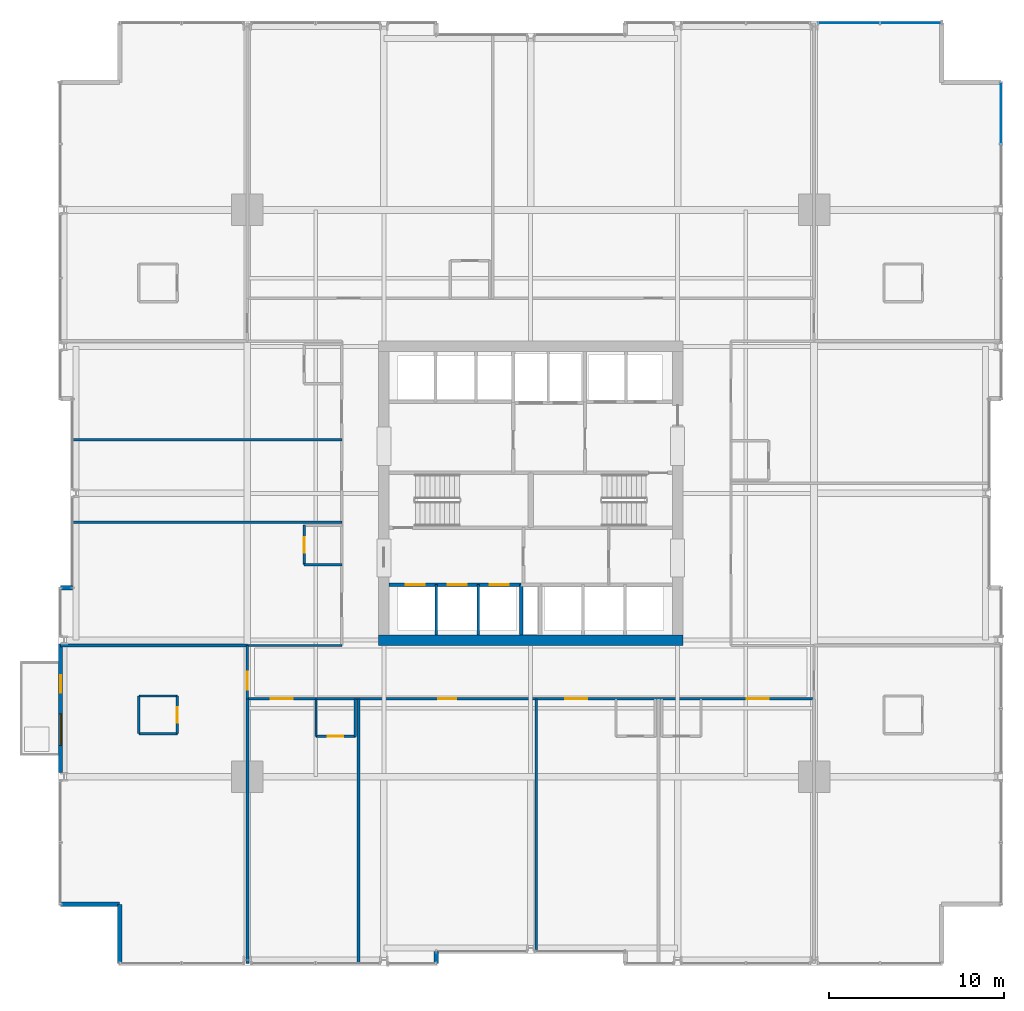
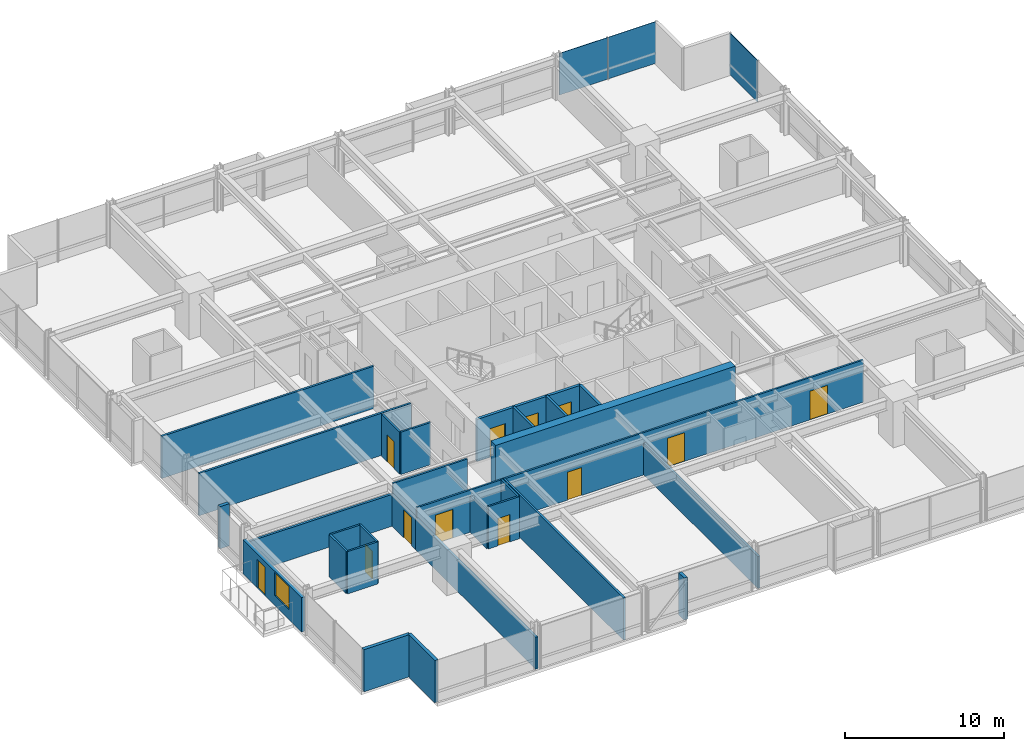
# One storey, part 30 of 37: 28 walls, 12 doors, 3 plates, 1 window, 13 openings, 2 elements without a shape of their own.
"""IFC4 building model written with IfcOpenShell, lengths in metres."""

from ifc_helpers import new_model, si_unit, direction, frame, frame_2d, origin, origin_2d, place, context, subcontext, project, spatial, rectangle, extrude, material, layer, layer_set, type_object, element, fill, aggregate, save


model = new_model("IFC4")

# Units and contexts
model_context = context("Model", 3, precision=1e-05, world=origin(), true_north=direction((0.0, 1.0)))
body_context = subcontext(model_context, "Body", "Model", "MODEL_VIEW")
ifc_project = project(units=[si_unit("LENGTHUNIT", "METRE"), si_unit("AREAUNIT", "SQUARE_METRE"), si_unit("VOLUMEUNIT", "CUBIC_METRE"), si_unit("PLANEANGLEUNIT", "RADIAN"), si_unit("MASSUNIT", "GRAM", prefix="KILO")], contexts=[model_context])

# Site, building, storey
site_placement = place(None, origin())
site = spatial("IfcSite", under=ifc_project, at=site_placement, CompositionType="ELEMENT")
building_placement = place(site_placement, origin())
building = spatial("IfcBuilding", under=site, at=building_placement, Name="Drelvath Grand Hotel", CompositionType="ELEMENT")
storey_placement = place(building_placement, frame((0.0, 0.0, 75.199951171875)))
storey = spatial("IfcBuildingStorey", under=building, at=storey_placement, Name="L18", CompositionType="ELEMENT", Elevation=75.199951171875)

# Curtain wall, plate
ifc_material_1 = material(Name="Warm Bronze Anodised Aluminium Frame", Category="aluminium")
ifc_layer_1 = layer(ifc_material_1, 0.199951171875)
ifc_layer_set_1 = layer_set([ifc_layer_1], Name="Warm Bronze Anodised Aluminium Frame")
curtain_wall_type = type_object("IfcCurtainWallType", Name="Stick Curtain Wall CW-02 Warm Bronze Low-Rise", PredefinedType="NOTDEFINED", material=ifc_layer_set_1)
curtain_wall_1_placement = place(storey_placement, origin())
curtain_wall_1 = element("IfcCurtainWall", 1, at=curtain_wall_1_placement, inside=storey, type_object=curtain_wall_type, Name="L18 CW-02 Curtain Wall CW02-L18-EN3", PredefinedType="NOTDEFINED")
ifc_material_2 = material(Name="Low-E Triple Silver Vision Glass Bronze Tint", Category="glass")
ifc_layer_2 = layer(ifc_material_2, 0.035888671875)
ifc_layer_set_2 = layer_set([ifc_layer_2], Name="Low-E Triple Silver Vision Glass Bronze Tint")
plate_type = type_object("IfcPlateType", Name="Curtain Wall Vision Panel CW-02 36mm", PredefinedType="CURTAIN_PANEL", material=ifc_layer_set_2)
plate_1_placement = place(storey_placement, frame((26.8798828125, 48.732421875, 0.02001953125), z_axis=(0.0, 0.0, 1.0), x_axis=(0.0, -1.0, 0.0)))
plate_1 = element("IfcPlate", 2, at=plate_1_placement, type_object=plate_type, Name="CW02-L18-EN3 Glazed Panel 1", PredefinedType="CURTAIN_PANEL", context=body_context, shape_type="SweptSolid", body=[
    extrude(rectangle(XDim=3.49560546875, YDim=0.035888671875, at=origin_2d()), origin(), (0.0, 0.0, 1.0), 3.199951171875),
])
aggregate(curtain_wall_1, [plate_1])

# Curtain wall, plates
curtain_wall_2_placement = place(storey_placement, origin())
curtain_wall_2 = element("IfcCurtainWall", 3, at=curtain_wall_2_placement, inside=storey, type_object=curtain_wall_type, Name="L18 CW-02 Curtain Wall CW02-L18-NE3", PredefinedType="NOTDEFINED")
plate_2_placement = place(storey_placement, frame((18.19677734375, 53.8798828125, 0.02001953125), z_axis=(0.0, 0.0, 1.0), x_axis=(1.0, 0.0, 0.0)))
plate_2 = element("IfcPlate", 4, at=plate_2_placement, type_object=plate_type, Name="CW02-L18-NE3 Glazed Panel 1", PredefinedType="CURTAIN_PANEL", context=body_context, shape_type="SweptSolid", body=[
    extrude(rectangle(XDim=3.49560546875, YDim=0.035888671875, at=origin_2d()), origin(), (0.0, 0.0, 1.0), 3.199951171875),
])
plate_3_placement = place(storey_placement, frame((21.732421875, 53.8798828125, 0.02001953125), z_axis=(0.0, 0.0, 1.0), x_axis=(1.0, 0.0, 0.0)))
plate_3 = element("IfcPlate", 5, at=plate_3_placement, type_object=plate_type, Name="CW02-L18-NE3 Glazed Panel 2", PredefinedType="CURTAIN_PANEL", context=body_context, shape_type="SweptSolid", body=[
    extrude(rectangle(XDim=3.49560546875, YDim=0.035888671875, at=origin_2d()), origin(), (0.0, 0.0, 1.0), 3.199951171875),
])
aggregate(curtain_wall_2, [plate_2, plate_3])

# Wall, openings, doors
ifc_material_3 = material(Name="Concrete C40/50", Category="concrete")
ifc_layer_3 = layer(ifc_material_3, 0.199951171875)
ifc_layer_set_3 = layer_set([ifc_layer_3], Name="Concrete C40/50")
wall_type_1 = type_object("IfcWallType", Name="Core Hoistway Fire Wall 200", PredefinedType="SOLIDWALL", material=ifc_layer_set_3)
wall_1_placement = place(storey_placement, frame((-0.550048828125, 21.780029296875, 0.0), z_axis=(0.0, 0.0, 1.0), x_axis=(-1.0, 0.0, 0.0)))
wall_1 = element("IfcWall", 6, at=wall_1_placement, inside=storey, type_object=wall_type_1, Name="L18 Bank 1 Hoistway Wall", PredefinedType="SOLIDWALL", context=body_context, shape_type="SweptSolid", body=[
    extrude(rectangle(XDim=7.550048828125, YDim=0.199951171875, at=frame_2d((3.77490234375, 0.0))), origin(), (0.0, 0.0, 1.0), 3.239990234375),
])
opening_1_placement = place(wall_1_placement, frame((5.5, 0.0, 0.0)))
opening_1 = element("IfcOpeningElement", 7, at=opening_1_placement, cuts=wall_1, Name="Opening LD-PE-1", PredefinedType="OPENING", context=body_context, shape_type="SweptSolid", body=[
    extrude(rectangle(XDim=1.10009765625, YDim=2.199951171875, at=frame_2d((0.550048828125, 1.10009765625))), frame((0.0, 0.10986328125, 0.0), z_axis=(0.0, -1.0, 0.0), x_axis=(1.0, 0.0, 0.0)), (0.0, 0.0, 1.0), 0.219970703125),
])
opening_2_placement = place(wall_1_placement, frame((3.10009765625, 0.0, 0.0)))
opening_2 = element("IfcOpeningElement", 8, at=opening_2_placement, cuts=wall_1, Name="Opening LD-PE-2", PredefinedType="OPENING", context=body_context, shape_type="SweptSolid", body=[
    extrude(rectangle(XDim=1.10009765625, YDim=2.199951171875, at=frame_2d((0.550048828125, 1.10009765625))), frame((0.0, 0.10986328125, 0.0), z_axis=(0.0, -1.0, 0.0), x_axis=(1.0, 0.0, 0.0)), (0.0, 0.0, 1.0), 0.219970703125),
])
opening_3_placement = place(wall_1_placement, frame((0.699951171875, 0.0, 0.0)))
opening_3 = element("IfcOpeningElement", 9, at=opening_3_placement, cuts=wall_1, Name="Opening LD-PE-3", PredefinedType="OPENING", context=body_context, shape_type="SweptSolid", body=[
    extrude(rectangle(XDim=1.10009765625, YDim=2.199951171875, at=frame_2d((0.550048828125, 1.10009765625))), frame((0.0, 0.10986328125, 0.0), z_axis=(0.0, -1.0, 0.0), x_axis=(1.0, 0.0, 0.0)), (0.0, 0.0, 1.0), 0.219970703125),
])
ifc_material_4 = material(Name="Stainless Steel S355", Category="steel")
door_type_1 = type_object("IfcDoorType", Name="Passenger Lift Sliding Landing Door 1100x2200", OperationType="NOTDEFINED", PredefinedType="DOOR", material=ifc_material_4)
door_1_placement = place(opening_1_placement, origin())
door_1 = element("IfcDoor", 10, at=door_1_placement, inside=storey, type_object=door_type_1, Name="L18 Lift PE-1 Landing Door", OperationType="SLIDING_TO_LEFT", OverallHeight=2.199951171875, OverallWidth=1.10009765625, PredefinedType="DOOR", context=body_context, shape_type="SweptSolid", body=[
    extrude(rectangle(XDim=1.10009765625, YDim=2.199951171875, at=frame_2d((0.550048828125, 1.10009765625))), frame((0.0, 0.02490234375, 0.0), z_axis=(0.0, -1.0, 0.0), x_axis=(1.0, 0.0, 0.0)), (0.0, 0.0, 1.0), 0.050048828125),
])
fill(opening_1, door_1)
door_2_placement = place(opening_2_placement, origin())
door_2 = element("IfcDoor", 11, at=door_2_placement, inside=storey, type_object=door_type_1, Name="L18 Lift PE-2 Landing Door", OperationType="SLIDING_TO_LEFT", OverallHeight=2.199951171875, OverallWidth=1.10009765625, PredefinedType="DOOR", context=body_context, shape_type="SweptSolid", body=[
    extrude(rectangle(XDim=1.10009765625, YDim=2.199951171875, at=frame_2d((0.550048828125, 1.10009765625))), frame((0.0, 0.02490234375, 0.0), z_axis=(0.0, -1.0, 0.0), x_axis=(1.0, 0.0, 0.0)), (0.0, 0.0, 1.0), 0.050048828125),
])
fill(opening_2, door_2)
door_3_placement = place(opening_3_placement, origin())
door_3 = element("IfcDoor", 12, at=door_3_placement, inside=storey, type_object=door_type_1, Name="L18 Lift PE-3 Landing Door", OperationType="SLIDING_TO_LEFT", OverallHeight=2.199951171875, OverallWidth=1.10009765625, PredefinedType="DOOR", context=body_context, shape_type="SweptSolid", body=[
    extrude(rectangle(XDim=1.10009765625, YDim=2.199951171875, at=frame_2d((0.550048828125, 1.10009765625))), frame((0.0, 0.02490234375, 0.0), z_axis=(0.0, -1.0, 0.0), x_axis=(1.0, 0.0, 0.0)), (0.0, 0.0, 1.0), 0.050048828125),
])
fill(opening_3, door_3)

# Walls
wall_2_placement = place(storey_placement, frame((-0.550048828125, 18.89990234375, 0.0), z_axis=(0.0, 0.0, 1.0), x_axis=(0.0, 1.0, 0.0)))
element("IfcWall", 13, at=wall_2_placement, inside=storey, type_object=wall_type_1, Name="L18 Bank 1 East Wall", PredefinedType="SOLIDWALL", context=body_context, shape_type="SweptSolid", body=[
    extrude(rectangle(XDim=2.880126953125, YDim=0.199951171875, at=frame_2d((1.43994140625, 0.0))), origin(), (0.0, 0.0, 1.0), 3.239990234375),
])
ifc_material_5 = material(Name="Gypsum Fireboard Partition")
ifc_layer_4 = layer(ifc_material_5, 0.1650390625)
ifc_layer_set_4 = layer_set([ifc_layer_4], Name="Gypsum Fireboard Partition")
wall_type_2 = type_object("IfcWallType", Name="Core Shaft Partition 165", PredefinedType="PARTITIONING", material=ifc_layer_set_4)
for number, where, z_axis, x_axis, name in (
    (14, (-5.39990234375, 18.89990234375, 0.0), (0.0, 0.0, 1.0), (0.0, 1.0, 0.0), "L18 Lift PE-1/2 Divider"),
    (15, (-3.0, 18.89990234375, 0.0), (0.0, 0.0, 1.0), (0.0, 1.0, 0.0), "L18 Lift PE-2/3 Divider"),
):
    element("IfcWall", number, at=place(storey_placement, frame(where, z_axis=z_axis, x_axis=x_axis)), inside=storey, type_object=wall_type_2, Name=name, PredefinedType="PARTITIONING", context=body_context, shape_type="SweptSolid", body=[
        extrude(rectangle(XDim=2.880126953125, YDim=0.1650390625, at=frame_2d((1.43994140625, 0.0))), origin(), (0.0, 0.0, 1.0), 3.239990234375),
    ])

# Wall, openings, doors
ifc_layer_5 = layer(ifc_material_5, 0.135009765625)
ifc_layer_set_5 = layer_set([ifc_layer_5], Name="Gypsum Fireboard Partition")
wall_type_3 = type_object("IfcWallType", Name="Corridor Fire Barrier Wall 135", PredefinedType="PARTITIONING", material=ifc_layer_set_5)
wall_3_placement = place(storey_placement, frame((-16.199951171875, 15.25, 0.0), z_axis=(0.0, 0.0, 1.0), x_axis=(1.0, 0.0, 0.0)))
wall_3 = element("IfcWall", 16, at=wall_3_placement, inside=storey, type_object=wall_type_3, Name="L18 South Corridor Wall", PredefinedType="PARTITIONING", context=body_context, shape_type="SweptSolid", body=[
    extrude(rectangle(XDim=32.39990234375, YDim=0.135009765625, at=frame_2d((16.199951171875, 0.0))), origin(), (0.0, 0.0, 1.0), 3.239990234375),
])
opening_4_placement = place(wall_3_placement, frame((1.331298828125, 0.0, 0.0)))
opening_4 = element("IfcOpeningElement", 17, at=opening_4_placement, cuts=wall_3, Name="Opening D-T1G5-025", PredefinedType="OPENING", context=body_context, shape_type="SweptSolid", body=[
    extrude(rectangle(XDim=1.260009765625, YDim=2.199951171875, at=frame_2d((0.6298828125, 1.10009765625))), frame((0.0, 0.077392578125, 0.0), z_axis=(0.0, -1.0, 0.0), x_axis=(1.0, 0.0, 0.0)), (0.0, 0.0, 1.0), 0.155029296875),
])
opening_5_placement = place(wall_3_placement, frame((10.92529296875, 0.0, 0.0)))
opening_5 = element("IfcOpeningElement", 18, at=opening_5_placement, cuts=wall_3, Name="Opening D-T1G5-026", PredefinedType="OPENING", context=body_context, shape_type="SweptSolid", body=[
    extrude(rectangle(XDim=1.02001953125, YDim=2.14990234375, at=frame_2d((0.510009765625, 1.074951171875))), frame((0.0, 0.077392578125, 0.0), z_axis=(0.0, -1.0, 0.0), x_axis=(1.0, 0.0, 0.0)), (0.0, 0.0, 1.0), 0.155029296875),
])
opening_6_placement = place(wall_3_placement, frame((18.166748046875, 0.0, 0.0)))
opening_6 = element("IfcOpeningElement", 19, at=opening_6_placement, cuts=wall_3, Name="Opening D-T1G5-028", PredefinedType="OPENING", context=body_context, shape_type="SweptSolid", body=[
    extrude(rectangle(XDim=1.260009765625, YDim=2.199951171875, at=frame_2d((0.6298828125, 1.10009765625))), frame((0.0, 0.077392578125, 0.0), z_axis=(0.0, -1.0, 0.0), x_axis=(1.0, 0.0, 0.0)), (0.0, 0.0, 1.0), 0.155029296875),
])
opening_7_placement = place(wall_3_placement, frame((28.5380859375, 0.0, 0.0)))
opening_7 = element("IfcOpeningElement", 20, at=opening_7_placement, cuts=wall_3, Name="Opening D-T1G5-030", PredefinedType="OPENING", context=body_context, shape_type="SweptSolid", body=[
    extrude(rectangle(XDim=1.260009765625, YDim=2.199951171875, at=frame_2d((0.6298828125, 1.10009765625))), frame((0.0, 0.077392578125, 0.0), z_axis=(0.0, -1.0, 0.0), x_axis=(1.0, 0.0, 0.0)), (0.0, 0.0, 1.0), 0.155029296875),
])
ifc_material_6 = material(Name="Hardwood Walnut Timber", Category="wood")
door_type_2 = type_object("IfcDoorType", Name="Amenity Meeting Fire Door 1020x2150", OperationType="NOTDEFINED", PredefinedType="DOOR", material=ifc_material_6)
door_4_placement = place(opening_5_placement, origin())
door_4 = element("IfcDoor", 21, at=door_4_placement, inside=storey, type_object=door_type_2, Name="L18 Executive Boardroom Entry Door", OperationType="SINGLE_SWING_LEFT", OverallHeight=2.14990234375, OverallWidth=1.02001953125, PredefinedType="DOOR", context=body_context, shape_type="SweptSolid", body=[
    extrude(rectangle(XDim=1.02001953125, YDim=2.14990234375, at=frame_2d((0.510009765625, 1.074951171875))), frame((0.0, 0.02490234375, 0.0), z_axis=(0.0, -1.0, 0.0), x_axis=(1.0, 0.0, 0.0)), (0.0, 0.0, 1.0), 0.050048828125),
])
fill(opening_5, door_4)
door_type_3 = type_object("IfcDoorType", Name="Suite Entrance Fire Door 1260x2200", OperationType="NOTDEFINED", PredefinedType="DOOR", material=ifc_material_6)
door_5_placement = place(opening_4_placement, origin())
door_5 = element("IfcDoor", 22, at=door_5_placement, inside=storey, type_object=door_type_3, Name="L18 Corner Suite Entry Door", OperationType="SINGLE_SWING_RIGHT", OverallHeight=2.199951171875, OverallWidth=1.260009765625, PredefinedType="DOOR", context=body_context, shape_type="SweptSolid", body=[
    extrude(rectangle(XDim=1.260009765625, YDim=2.199951171875, at=frame_2d((0.6298828125, 1.10009765625))), frame((0.0, 0.02490234375, 0.0), z_axis=(0.0, -1.0, 0.0), x_axis=(1.0, 0.0, 0.0)), (0.0, 0.0, 1.0), 0.050048828125),
])
fill(opening_4, door_5)
door_6_placement = place(opening_6_placement, origin())
door_6 = element("IfcDoor", 23, at=door_6_placement, inside=storey, type_object=door_type_3, Name="L18 Corner Suite Entry Door", OperationType="SINGLE_SWING_LEFT", OverallHeight=2.199951171875, OverallWidth=1.260009765625, PredefinedType="DOOR", context=body_context, shape_type="SweptSolid", body=[
    extrude(rectangle(XDim=1.260009765625, YDim=2.199951171875, at=frame_2d((0.6298828125, 1.10009765625))), frame((0.0, 0.02490234375, 0.0), z_axis=(0.0, -1.0, 0.0), x_axis=(1.0, 0.0, 0.0)), (0.0, 0.0, 1.0), 0.050048828125),
])
fill(opening_6, door_6)
door_7_placement = place(opening_7_placement, origin())
door_7 = element("IfcDoor", 24, at=door_7_placement, inside=storey, type_object=door_type_3, Name="L18 Corner Suite Entry Door", OperationType="SINGLE_SWING_LEFT", OverallHeight=2.199951171875, OverallWidth=1.260009765625, PredefinedType="DOOR", context=body_context, shape_type="SweptSolid", body=[
    extrude(rectangle(XDim=1.260009765625, YDim=2.199951171875, at=frame_2d((0.6298828125, 1.10009765625))), frame((0.0, 0.02490234375, 0.0), z_axis=(0.0, -1.0, 0.0), x_axis=(1.0, 0.0, 0.0)), (0.0, 0.0, 1.0), 0.050048828125),
])
fill(opening_7, door_7)

# Wall
wall_4_placement = place(storey_placement, frame((-16.199951171875, 18.300048828125, 0.0), z_axis=(0.0, 0.0, 1.0), x_axis=(1.0, 0.0, 0.0)))
element("IfcWall", 25, at=wall_4_placement, inside=storey, type_object=wall_type_3, Name="L18 SW Spur Inner Wall", PredefinedType="PARTITIONING", context=body_context, shape_type="SweptSolid", body=[
    extrude(rectangle(XDim=5.39990234375, YDim=0.135009765625, at=frame_2d((2.699951171875, 0.0))), origin(), (0.0, 0.0, 1.0), 3.239990234375),
])

# Wall, opening, door
wall_5_placement = place(storey_placement, frame((-16.199951171875, 15.25, 0.0), z_axis=(0.0, 0.0, 1.0), x_axis=(0.0, 1.0, 0.0)))
wall_5 = element("IfcWall", 26, at=wall_5_placement, inside=storey, type_object=wall_type_3, Name="L18 South Corridor West End", PredefinedType="PARTITIONING", context=body_context, shape_type="SweptSolid", body=[
    extrude(rectangle(XDim=3.050048828125, YDim=0.135009765625, at=frame_2d((1.52490234375, 0.0))), origin(), (0.0, 0.0, 1.0), 2.451904296875),
])
opening_8_placement = place(wall_5_placement, frame((0.52001953125, 0.0, 0.0)))
opening_8 = element("IfcOpeningElement", 27, at=opening_8_placement, cuts=wall_5, Name="Opening D-T1G5-017", PredefinedType="OPENING", context=body_context, shape_type="SweptSolid", body=[
    extrude(rectangle(XDim=1.02001953125, YDim=2.14990234375, at=frame_2d((0.510009765625, 1.074951171875))), frame((0.0, 0.077392578125, 0.0), z_axis=(0.0, -1.0, 0.0), x_axis=(1.0, 0.0, 0.0)), (0.0, 0.0, 1.0), 0.155029296875),
])
door_8_placement = place(opening_8_placement, origin())
door_8 = element("IfcDoor", 28, at=door_8_placement, inside=storey, type_object=door_type_2, Name="L18 Corner Suite Entry Door", OperationType="SINGLE_SWING_RIGHT", OverallHeight=2.14990234375, OverallWidth=1.02001953125, PredefinedType="DOOR", context=body_context, shape_type="SweptSolid", body=[
    extrude(rectangle(XDim=1.02001953125, YDim=2.14990234375, at=frame_2d((0.510009765625, 1.074951171875))), frame((0.0, 0.02490234375, 0.0), z_axis=(0.0, -1.0, 0.0), x_axis=(1.0, 0.0, 0.0)), (0.0, 0.0, 1.0), 0.050048828125),
])
fill(opening_8, door_8)

# Walls
ifc_material_7 = material(Name="Moisture-Resistant Gypsum Board")
ifc_layer_6 = layer(ifc_material_7, 0.139892578125)
ifc_layer_set_6 = layer_set([ifc_layer_6], Name="Moisture-Resistant Gypsum Board")
wall_type_4 = type_object("IfcWallType", Name="En-Suite Plumbing Wall 140", PredefinedType="PLUMBINGWALL", material=ifc_layer_set_6)
for number, where, z_axis, x_axis, name in (
    (29, (-22.39990234375, 13.260009765625, 0.0), (0.0, 0.0, 1.0), (1.0, 0.0, 0.0), "L18 Corner En-Suite South"),
    (30, (-22.39990234375, 15.409912109375, 0.0), (0.0, 0.0, 1.0), (1.0, 0.0, 0.0), "L18 Corner En-Suite North"),
):
    element("IfcWall", number, at=place(storey_placement, frame(where, z_axis=z_axis, x_axis=x_axis)), inside=storey, type_object=wall_type_4, Name=name, PredefinedType="PLUMBINGWALL", context=body_context, shape_type="SweptSolid", body=[
        extrude(rectangle(XDim=2.199951171875, YDim=0.139892578125, at=frame_2d((1.10009765625, 0.0))), origin(), (0.0, 0.0, 1.0), 3.239990234375),
    ])
wall_6_placement = place(storey_placement, frame((-22.39990234375, 13.260009765625, 0.0), z_axis=(0.0, 0.0, 1.0), x_axis=(0.0, 1.0, 0.0)))
element("IfcWall", 31, at=wall_6_placement, inside=storey, type_object=wall_type_4, Name="L18 Corner En-Suite West", PredefinedType="PLUMBINGWALL", context=body_context, shape_type="SweptSolid", body=[
    extrude(rectangle(XDim=2.14990234375, YDim=0.139892578125, at=frame_2d((1.074951171875, 0.0))), origin(), (0.0, 0.0, 1.0), 3.239990234375),
])

# Wall, opening, door
wall_7_placement = place(storey_placement, frame((-20.199951171875, 13.260009765625, 0.0), z_axis=(0.0, 0.0, 1.0), x_axis=(0.0, 1.0, 0.0)))
wall_7 = element("IfcWall", 32, at=wall_7_placement, inside=storey, type_object=wall_type_4, Name="L18 Corner En-Suite East", PredefinedType="PLUMBINGWALL", context=body_context, shape_type="SweptSolid", body=[
    extrude(rectangle(XDim=2.14990234375, YDim=0.139892578125, at=frame_2d((1.074951171875, 0.0))), origin(), (0.0, 0.0, 1.0), 3.239990234375),
])
opening_9_placement = place(wall_7_placement, frame((0.6201171875, 0.0, 0.0)))
opening_9 = element("IfcOpeningElement", 33, at=opening_9_placement, cuts=wall_7, Name="Opening D-T1G5-016", PredefinedType="OPENING", context=body_context, shape_type="SweptSolid", body=[
    extrude(rectangle(XDim=0.8798828125, YDim=2.10009765625, at=frame_2d((0.43994140625, 1.050048828125))), frame((0.0, 0.079833984375, 0.0), z_axis=(0.0, -1.0, 0.0), x_axis=(1.0, 0.0, 0.0)), (0.0, 0.0, 1.0), 0.159912109375),
])
door_type_4 = type_object("IfcDoorType", Name="En-Suite Bathroom Door 880x2100", OperationType="NOTDEFINED", PredefinedType="DOOR", material=ifc_material_6)
door_9_placement = place(opening_9_placement, origin())
door_9 = element("IfcDoor", 34, at=door_9_placement, inside=storey, type_object=door_type_4, Name="L18 Corner En-Suite Door", OperationType="SINGLE_SWING_LEFT", OverallHeight=2.10009765625, OverallWidth=0.8798828125, PredefinedType="DOOR", context=body_context, shape_type="SweptSolid", body=[
    extrude(rectangle(XDim=0.8798828125, YDim=2.10009765625, at=frame_2d((0.43994140625, 1.050048828125))), frame((0.0, 0.02490234375, 0.0), z_axis=(0.0, -1.0, 0.0), x_axis=(1.0, 0.0, 0.0)), (0.0, 0.0, 1.0), 0.050048828125),
])
fill(opening_9, door_9)

# Walls
wall_8_placement = place(storey_placement, frame((-12.277099609375, 15.25, 0.0), z_axis=(0.0, 0.0, 1.0), x_axis=(0.0, -1.0, 0.0)))
element("IfcWall", 35, at=wall_8_placement, inside=storey, type_object=wall_type_4, Name="L18 En-Suite Left Wall", PredefinedType="PLUMBINGWALL", context=body_context, shape_type="SweptSolid", body=[
    extrude(rectangle(XDim=2.14990234375, YDim=0.139892578125, at=frame_2d((1.074951171875, 0.0))), origin(), (0.0, 0.0, 1.0), 2.76513671875),
])
wall_9_placement = place(storey_placement, frame((-10.027099609375, 15.25, 0.0), z_axis=(0.0, 0.0, 1.0), x_axis=(0.0, -1.0, 0.0)))
element("IfcWall", 36, at=wall_9_placement, inside=storey, type_object=wall_type_4, Name="L18 En-Suite Right Wall", PredefinedType="PLUMBINGWALL", context=body_context, shape_type="SweptSolid", body=[
    extrude(rectangle(XDim=2.14990234375, YDim=0.139892578125, at=frame_2d((1.074951171875, 0.0))), origin(), (0.0, 0.0, 1.0), 3.239990234375),
])

# Wall, opening, door
wall_10_placement = place(storey_placement, frame((-12.277099609375, 13.10009765625, 0.0), z_axis=(0.0, 0.0, 1.0), x_axis=(1.0, 0.0, 0.0)))
wall_10 = element("IfcWall", 37, at=wall_10_placement, inside=storey, type_object=wall_type_4, Name="L18 En-Suite Front Wall", PredefinedType="PLUMBINGWALL", context=body_context, shape_type="SweptSolid", body=[
    extrude(rectangle(XDim=2.25, YDim=0.139892578125, at=frame_2d((1.125, 0.0))), origin(), (0.0, 0.0, 1.0), 3.239990234375),
])
opening_10_placement = place(wall_10_placement, frame((0.68505859375, 0.0, 0.0)))
opening_10 = element("IfcOpeningElement", 38, at=opening_10_placement, cuts=wall_10, Name="Opening D-T1G5-024", PredefinedType="OPENING", context=body_context, shape_type="SweptSolid", body=[
    extrude(rectangle(XDim=0.8798828125, YDim=2.10009765625, at=frame_2d((0.43994140625, 1.050048828125))), frame((0.0, 0.079833984375, 0.0), z_axis=(0.0, -1.0, 0.0), x_axis=(1.0, 0.0, 0.0)), (0.0, 0.0, 1.0), 0.159912109375),
])
door_10_placement = place(opening_10_placement, origin())
door_10 = element("IfcDoor", 39, at=door_10_placement, inside=storey, type_object=door_type_4, Name="L18 En-Suite Bathroom Door", OperationType="SINGLE_SWING_LEFT", OverallHeight=2.10009765625, OverallWidth=0.8798828125, PredefinedType="DOOR", context=body_context, shape_type="SweptSolid", body=[
    extrude(rectangle(XDim=0.8798828125, YDim=2.10009765625, at=frame_2d((0.43994140625, 1.050048828125))), frame((0.0, 0.02490234375, 0.0), z_axis=(0.0, -1.0, 0.0), x_axis=(1.0, 0.0, 0.0)), (0.0, 0.0, 1.0), 0.050048828125),
])
fill(opening_10, door_10)

# Wall
wall_11_placement = place(storey_placement, frame((-10.800048828125, 22.924072265625, 0.0), z_axis=(0.0, 0.0, 1.0), x_axis=(-1.0, 0.0, 0.0)))
element("IfcWall", 40, at=wall_11_placement, inside=storey, type_object=wall_type_4, Name="L18 En-Suite Left Wall", PredefinedType="PLUMBINGWALL", context=body_context, shape_type="SweptSolid", body=[
    extrude(rectangle(XDim=2.14990234375, YDim=0.139892578125, at=frame_2d((1.074951171875, 0.0))), origin(), (0.0, 0.0, 1.0), 3.239990234375),
])

# Wall, opening, door
wall_12_placement = place(storey_placement, frame((-12.949951171875, 22.924072265625, 0.0), z_axis=(0.0, 0.0, 1.0), x_axis=(0.0, 1.0, 0.0)))
wall_12 = element("IfcWall", 41, at=wall_12_placement, inside=storey, type_object=wall_type_4, Name="L18 En-Suite Front Wall", PredefinedType="PLUMBINGWALL", context=body_context, shape_type="SweptSolid", body=[
    extrude(rectangle(XDim=2.25, YDim=0.139892578125, at=frame_2d((1.125, 0.0))), origin(), (0.0, 0.0, 1.0), 3.239990234375),
])
opening_11_placement = place(wall_12_placement, frame((0.68505859375, 0.0, 0.0)))
opening_11 = element("IfcOpeningElement", 42, at=opening_11_placement, cuts=wall_12, Name="Opening D-T1G5-034", PredefinedType="OPENING", context=body_context, shape_type="SweptSolid", body=[
    extrude(rectangle(XDim=0.8798828125, YDim=2.10009765625, at=frame_2d((0.43994140625, 1.050048828125))), frame((0.0, 0.079833984375, 0.0), z_axis=(0.0, -1.0, 0.0), x_axis=(1.0, 0.0, 0.0)), (0.0, 0.0, 1.0), 0.159912109375),
])
door_11_placement = place(opening_11_placement, origin())
door_11 = element("IfcDoor", 43, at=door_11_placement, inside=storey, type_object=door_type_4, Name="L18 En-Suite Bathroom Door", OperationType="SINGLE_SWING_LEFT", OverallHeight=2.10009765625, OverallWidth=0.8798828125, PredefinedType="DOOR", context=body_context, shape_type="SweptSolid", body=[
    extrude(rectangle(XDim=0.8798828125, YDim=2.10009765625, at=frame_2d((0.43994140625, 1.050048828125))), frame((0.0, 0.02490234375, 0.0), z_axis=(0.0, -1.0, 0.0), x_axis=(1.0, 0.0, 0.0)), (0.0, 0.0, 1.0), 0.050048828125),
])
fill(opening_11, door_11)

# Walls
ifc_material_8 = material(Name="Gypsum Acoustic Partition")
ifc_layer_7 = layer(ifc_material_8, 0.14990234375)
ifc_layer_set_7 = layer_set([ifc_layer_7], Name="Gypsum Acoustic Partition")
wall_type_5 = type_object("IfcWallType", Name="Guestroom Demising Wall 150", PredefinedType="PARTITIONING", material=ifc_layer_set_7)
wall_13_placement = place(storey_placement, frame((-9.84716796875, 0.1201171875, 0.0), z_axis=(0.0, 0.0, 1.0), x_axis=(0.0, 1.0, 0.0)))
element("IfcWall", 44, at=wall_13_placement, inside=storey, type_object=wall_type_5, Name="L18 South Demising 1", PredefinedType="PARTITIONING", context=body_context, shape_type="SweptSolid", body=[
    extrude(rectangle(XDim=15.1298828125, YDim=0.14990234375, at=frame_2d((7.56494140625, 0.0))), origin(), (0.0, 0.0, 1.0), 3.239990234375),
])
wall_14_placement = place(storey_placement, frame((0.317626953125, 0.800048828125, 0.0), z_axis=(0.0, 0.0, 1.0), x_axis=(0.0, 1.0, 0.0)))
element("IfcWall", 45, at=wall_14_placement, inside=storey, type_object=wall_type_5, Name="L18 South Demising 2", PredefinedType="PARTITIONING", context=body_context, shape_type="SweptSolid", body=[
    extrude(rectangle(XDim=14.449951171875, YDim=0.14990234375, at=frame_2d((7.22509765625, 0.0))), origin(), (0.0, 0.0, 1.0), 2.451904296875),
])
for number, where, z_axis, x_axis, name in (
    (46, (-26.199951171875, 25.35400390625, 0.0), (0.0, 0.0, 1.0), (1.0, 0.0, 0.0), "L18 West Demising 1"),
    (47, (-26.199951171875, 30.056884765625, 0.0), (0.0, 0.0, 1.0), (1.0, 0.0, 0.0), "L18 West Demising 2"),
):
    element("IfcWall", number, at=place(storey_placement, frame(where, z_axis=z_axis, x_axis=x_axis)), inside=storey, type_object=wall_type_5, Name=name, PredefinedType="PARTITIONING", context=body_context, shape_type="SweptSolid", body=[
        extrude(rectangle(XDim=15.39990234375, YDim=0.14990234375, at=frame_2d((7.699951171875, 0.0))), origin(), (0.0, 0.0, 1.0), 3.239990234375),
    ])
ifc_material_9 = material(Name="Concrete f'c 70 MPa", Category="concrete")
ifc_layer_8 = layer(ifc_material_9, 0.60009765625)
ifc_layer_set_8 = layer_set([ifc_layer_8], Name="Concrete f'c 70 MPa")
wall_type_6 = type_object("IfcWallType", Name="Lower Core RC Shear Wall 600", PredefinedType="SHEAR", material=ifc_layer_set_8)
wall_15_placement = place(storey_placement, frame((8.699951171875, 18.60009765625, 0.0), z_axis=(0.0, 0.0, 1.0), x_axis=(-1.0, 0.0, 0.0)))
element("IfcWall", 48, at=wall_15_placement, inside=storey, type_object=wall_type_6, Name="L18 Central Core Shear Wall S", PredefinedType="SHEAR", context=body_context, shape_type="SweptSolid", body=[
    extrude(rectangle(XDim=17.39990234375, YDim=0.60009765625, at=frame_2d((8.699951171875, 0.0))), origin(), (0.0, 0.0, 1.0), 3.5),
])
ifc_layer_9 = layer(ifc_material_8, 0.1650390625)
ifc_layer_set_9 = layer_set([ifc_layer_9], Name="Gypsum Acoustic Partition")
wall_type_7 = type_object("IfcWallType", Name="Suite Demising Wall 165", PredefinedType="PARTITIONING", material=ifc_layer_set_9)
wall_16_placement = place(storey_placement, frame((-16.199951171875, 0.1201171875, 0.0), z_axis=(0.0, 0.0, 1.0), x_axis=(0.0, 1.0, 0.0)))
element("IfcWall", 49, at=wall_16_placement, inside=storey, type_object=wall_type_7, Name="L18 SW Wing Boundary Wall", PredefinedType="PARTITIONING", context=body_context, shape_type="SweptSolid", body=[
    extrude(rectangle(XDim=15.1298828125, YDim=0.1650390625, at=frame_2d((7.56494140625, 0.0))), origin(), (0.0, 0.0, 1.0), 2.451904296875),
])
wall_17_placement = place(storey_placement, frame((-26.8798828125, 18.300048828125, 0.0), z_axis=(0.0, 0.0, 1.0), x_axis=(1.0, 0.0, 0.0)))
element("IfcWall", 50, at=wall_17_placement, inside=storey, type_object=wall_type_7, Name="L18 SW Corner North Wall", PredefinedType="PARTITIONING", context=body_context, shape_type="SweptSolid", body=[
    extrude(rectangle(XDim=10.679931640625, YDim=0.1650390625, at=frame_2d((5.33984375, 0.0))), origin(), (0.0, 0.0, 1.0), 2.451904296875),
])

# Wall, openings, window, door
ifc_material_10 = material(Name="Pale-Metal Insulated Aluminium Spandrel Assembly", Category="aluminium")
ifc_layer_10 = layer(ifc_material_10, 0.239990234375)
ifc_layer_set_10 = layer_set([ifc_layer_10], Name="Pale-Metal Insulated Aluminium Spandrel Assembly")
wall_type_8 = type_object("IfcWallType", Name="Tower Insulated Metal Spandrel Closure Wall 240", PredefinedType="STANDARD", material=ifc_layer_set_10)
wall_18_placement = place(storey_placement, frame((-26.8798828125, 11.029052734375, 0.0), z_axis=(0.0, 0.0, 1.0), x_axis=(0.0, 1.0, 0.0)))
wall_18 = element("IfcWall", 51, at=wall_18_placement, inside=storey, type_object=wall_type_8, Name="L18 Exterior Terrace Door Bay Wall WS2", PredefinedType="STANDARD", context=body_context, shape_type="SweptSolid", body=[
    extrude(rectangle(XDim=7.341796875, YDim=0.239990234375, at=frame_2d((3.6708984375, 0.0))), origin(), (0.0, 0.0, 1.0), 2.629150390625),
])
opening_12_placement = place(wall_18_placement, frame((4.57080078125, 0.0, 0.0)))
opening_12 = element("IfcOpeningElement", 52, at=opening_12_placement, cuts=wall_18, Name="Opening TD-1000", PredefinedType="OPENING", context=body_context, shape_type="SweptSolid", body=[
    extrude(rectangle(XDim=1.0, YDim=2.199951171875, at=frame_2d((0.5, 1.10009765625))), frame((0.0, 0.1298828125, 0.0), z_axis=(0.0, -1.0, 0.0), x_axis=(1.0, 0.0, 0.0)), (0.0, 0.0, 1.0), 0.260009765625),
])
opening_13_placement = place(wall_18_placement, frame((1.55908203125, 0.0, 0.75)))
opening_13 = element("IfcOpeningElement", 53, at=opening_13_placement, cuts=wall_18, Name="Opening W-02", PredefinedType="OPENING", context=body_context, shape_type="SweptSolid", body=[
    extrude(rectangle(XDim=1.800048828125, YDim=1.779052734375, at=frame_2d((0.89990234375, 0.8896484375))), frame((0.0, 0.1298828125, 0.0), z_axis=(0.0, -1.0, 0.0), x_axis=(1.0, 0.0, 0.0)), (0.0, 0.0, 1.0), 0.260009765625),
])
ifc_material_11 = material(Name="Bronze Anodised Low-E Triple Glazing", Category="glass")
window_type = type_object("IfcWindowType", Name="Chicago Double-Pane Podium Window 1800x2400", PartitioningType="DOUBLE_PANEL_VERTICAL", PredefinedType="WINDOW", material=ifc_material_11)
window_placement = place(opening_13_placement, origin())
window = element("IfcWindow", 54, at=window_placement, inside=storey, type_object=window_type, Name="L18 Terrace Bay Companion Window WS2", OverallHeight=1.779052734375, OverallWidth=1.800048828125, PartitioningType="SINGLE_PANEL", PredefinedType="WINDOW", context=body_context, shape_type="SweptSolid", body=[
    extrude(rectangle(XDim=1.800048828125, YDim=1.779052734375, at=frame_2d((0.89990234375, 0.8896484375))), frame((0.0, 0.030029296875, 0.0), z_axis=(0.0, -1.0, 0.0), x_axis=(1.0, 0.0, 0.0)), (0.0, 0.0, 1.0), 0.06005859375),
])
fill(opening_13, window)
ifc_material_12 = material(Name="Anodised Aluminium Thermally Broken Glazed Door", Category="aluminium")
door_type_5 = type_object("IfcDoorType", Name="Terrace and Tree Balcony Glazed Door 1000x2200", OperationType="NOTDEFINED", PredefinedType="DOOR", material=ifc_material_12)
door_12_placement = place(opening_12_placement, origin())
door_12 = element("IfcDoor", 55, at=door_12_placement, inside=storey, type_object=door_type_5, Name="L18 Tree Balcony Door DOOR-L18-TBAL-1", OperationType="SINGLE_SWING_LEFT", OverallHeight=2.199951171875, OverallWidth=1.0, PredefinedType="DOOR", context=body_context, shape_type="SweptSolid", body=[
    extrude(rectangle(XDim=1.0, YDim=2.199951171875, at=frame_2d((0.5, 1.10009765625))), frame((0.0, 0.02490234375, 0.0), z_axis=(0.0, -1.0, 0.0), x_axis=(1.0, 0.0, 0.0)), (0.0, 0.0, 1.0), 0.050048828125),
])
fill(opening_12, door_12)

# Walls
for number, where, z_axis, x_axis, name in (
    (56, (-23.5, 0.1201171875, 0.0), (0.0, 0.0, 1.0), (0.0, 1.0, 0.0), "L18 Notched Corner Return Spandrel Wall CSW1"),
    (57, (-23.5, 3.5, 0.0), (0.0, 0.0, 1.0), (-1.0, 0.0, 0.0), "L18 Notched Corner Return Spandrel Wall CSW2"),
):
    element("IfcWall", number, at=place(storey_placement, frame(where, z_axis=z_axis, x_axis=x_axis)), inside=storey, type_object=wall_type_8, Name=name, PredefinedType="STANDARD", context=body_context, shape_type="SweptSolid", body=[
        extrude(rectangle(XDim=3.3798828125, YDim=0.239990234375, at=frame_2d((1.68994140625, 0.0))), origin(), (0.0, 0.0, 1.0), 3.239990234375),
    ])
for number, where, z_axis, x_axis, name in (
    (58, (-26.8798828125, 21.60009765625, 0.0), (0.0, 0.0, 1.0), (1.0, 0.0, 0.0), "L18 Notched Corner Return Spandrel Wall RW1"),
    (59, (-5.39990234375, 0.800048828125, 0.0), (0.0, 0.0, 1.0), (0.0, -1.0, 0.0), "L18 Notched Corner Return Spandrel Wall RS2"),
):
    element("IfcWall", number, at=place(storey_placement, frame(where, z_axis=z_axis, x_axis=x_axis)), inside=storey, type_object=wall_type_8, Name=name, PredefinedType="STANDARD", context=body_context, shape_type="SweptSolid", body=[
        extrude(rectangle(XDim=0.679931640625, YDim=0.239990234375, at=frame_2d((0.33984375, 0.0))), origin(), (0.0, 0.0, 1.0), 3.239990234375),
    ])

save(model, "model.ifc")
